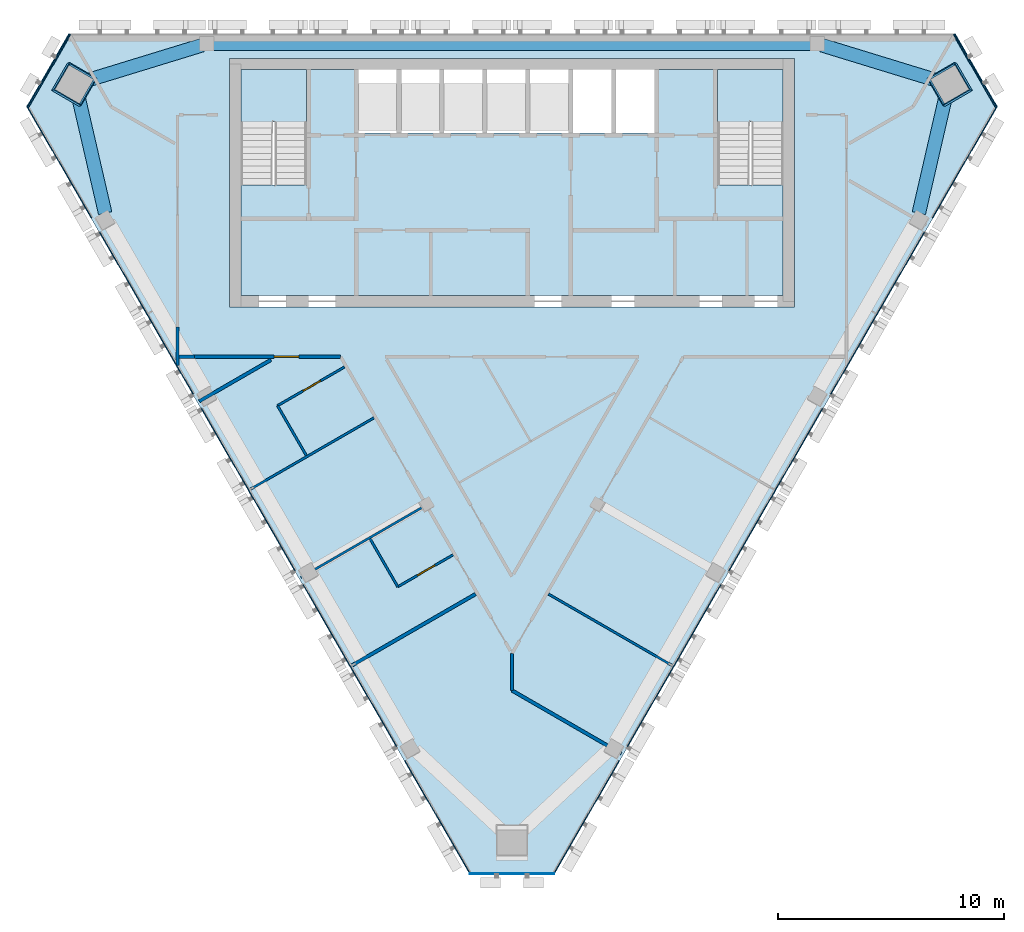
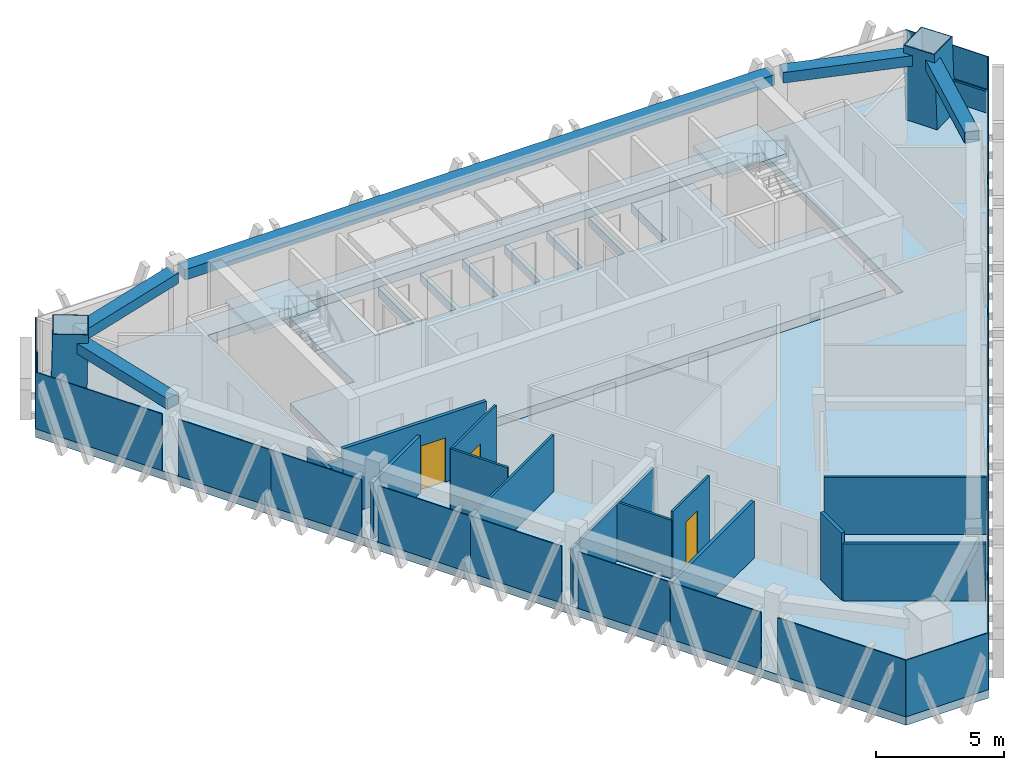
# One storey, part 5 of 10: 19 plates, 14 walls, 5 beams, 4 members, 4 slabs, 3 doors, 3 openings, 7 elements without a shape of their own.
"""IFC4 building model written with IfcOpenShell, lengths in metres."""

from ifc_helpers import new_model, si_unit, direction, frame, frame_2d, origin, origin_2d, place, context, subcontext, project, spatial, polyline, rectangle, hollow_rectangle, outline, extrude, material, layer, layer_set, material_profile, profile_set, type_object, element, fill, aggregate, save


model = new_model("IFC4")

# Units and contexts
model_context = context("Model", 3, precision=1e-05, world=origin(), true_north=direction((0.0, 1.0)))
body_context = subcontext(model_context, "Body", "Model", "MODEL_VIEW")
ifc_project = project(units=[si_unit("LENGTHUNIT", "METRE"), si_unit("AREAUNIT", "SQUARE_METRE"), si_unit("VOLUMEUNIT", "CUBIC_METRE"), si_unit("PLANEANGLEUNIT", "RADIAN"), si_unit("MASSUNIT", "GRAM", prefix="KILO")], contexts=[model_context])

# Site, building, storey
site_placement = place(None, origin())
site = spatial("IfcSite", under=ifc_project, at=site_placement, CompositionType="ELEMENT")
building_placement = place(site_placement, origin())
building = spatial("IfcBuilding", under=site, at=building_placement, Name="Altiplano Prism Tower", CompositionType="ELEMENT")
storey_placement = place(building_placement, frame((0.0, 0.0, 320.199951171875)))
storey = spatial("IfcBuildingStorey", under=building, at=storey_placement, Name="L83", CompositionType="ELEMENT", Elevation=320.199951171875)

# Curtain wall, member
ifc_material_1 = material(Name="Aluminium and glass", Category="aluminium")
ifc_layer_1 = layer(ifc_material_1, 0.280029296875)
ifc_layer_set_1 = layer_set([ifc_layer_1], Name="Aluminium and glass")
curtain_wall_type = type_object("IfcCurtainWallType", Name="CW1 typical co-living unitised curtain wall", PredefinedType="NOTDEFINED", material=ifc_layer_set_1)
curtain_wall_1_placement = place(storey_placement, origin())
curtain_wall_1 = element("IfcCurtainWall", 1, at=curtain_wall_1_placement, inside=storey, type_object=curtain_wall_type, Name="CW1 curtain wall north-west chamfer L83", PredefinedType="NOTDEFINED")
ifc_material_2 = material(Name="Aluminium", Category="aluminium")
ifc_material_profile_1 = material_profile(ifc_material_2, rectangle(XDim=0.06005859375, YDim=0.080078125, at=origin_2d()), Name="CW1 transom 80 x 60")
ifc_profile_set_1 = profile_set([ifc_material_profile_1], Name="Aluminium")
member_type_1 = type_object("IfcMemberType", Name="CW1 transom 80 x 60", PredefinedType="USERDEFINED", material=ifc_profile_set_1)
member_1_placement = place(storey_placement, frame((65.4482421875, 104.965087890625, 1.10009765625), z_axis=(-0.500009413767, -0.866019968675, 0.0), x_axis=(0.866019968675, -0.500009413767, 0.0)))
member_1 = element("IfcMember", 2, at=member_1_placement, type_object=member_type_1, Name="CW1 transom", ObjectType="TRANSOM", PredefinedType="USERDEFINED", context=body_context, shape_type="SweptSolid", body=[
    extrude(rectangle(XDim=0.06005859375, YDim=0.080078125, at=origin_2d()), origin(), (0.0, 0.0, 1.0), 3.7314453125),
])

curtain_wall_2_placement = place(storey_placement, origin())
curtain_wall_2 = element("IfcCurtainWall", 3, at=curtain_wall_2_placement, inside=storey, type_object=curtain_wall_type, Name="CW1 curtain wall north-east chamfer L83", PredefinedType="NOTDEFINED")
member_2_placement = place(storey_placement, frame((106.41748046875, 101.733642578125, 1.10009765625), z_axis=(-0.500009413767, 0.866019968675, 0.0), x_axis=(-0.866019968675, -0.500009413767, 0.0)))
member_2 = element("IfcMember", 4, at=member_2_placement, type_object=member_type_1, Name="CW1 transom", ObjectType="TRANSOM", PredefinedType="USERDEFINED", context=body_context, shape_type="SweptSolid", body=[
    extrude(rectangle(XDim=0.06005859375, YDim=0.080078125, at=origin_2d()), origin(), (0.0, 0.0, 1.0), 3.7314453125),
])

# Beams
ifc_material_3 = material(Name="Concrete C60/75", Category="concrete")
ifc_material_profile_2 = material_profile(ifc_material_3, rectangle(XDim=0.60009765625, YDim=0.5, at=origin_2d()), Name="Edge beam 600x500")
ifc_profile_set_2 = profile_set([ifc_material_profile_2], Name="Concrete C60/75")
beam_type = type_object("IfcBeamType", Name="Edge beam 600x500", PredefinedType="SPANDREL", material=ifc_profile_set_2)
beam_1_placement = place(storey_placement, frame((103.00146484375, 97.052978515625, 2.949951171875), z_axis=(0.224339128445, 0.974511136647, 0.0), x_axis=(-0.974511136647, 0.224339128445, 0.0)))
element("IfcBeam", 5, at=beam_1_placement, inside=storey, type_object=beam_type, Name="Edge beam P24-M2 L84", PredefinedType="SPANDREL", context=body_context, shape_type="SweptSolid", body=[
    extrude(rectangle(XDim=0.60009765625, YDim=0.5, at=origin_2d()), origin(), (0.0, 0.0, 1.0), 5.4140625),
])
beam_2_placement = place(storey_placement, frame((103.886962890625, 102.8994140625, 2.949951171875), z_axis=(-0.956124456084, 0.292960790001, 0.0), x_axis=(-0.292960790001, -0.956124456084, 0.0)))
element("IfcBeam", 6, at=beam_2_placement, inside=storey, type_object=beam_type, Name="Edge beam M2-P01 L84", PredefinedType="SPANDREL", context=body_context, shape_type="SweptSolid", body=[
    extrude(rectangle(XDim=0.60009765625, YDim=0.5, at=origin_2d()), origin(), (0.0, 0.0, 1.0), 5.414306640625),
])
beam_3_placement = place(storey_placement, frame((98.294921875, 104.550048828125, 2.949951171875), z_axis=(-1.0, 0.0, 0.0), x_axis=(0.0, -1.0, 0.0)))
element("IfcBeam", 7, at=beam_3_placement, inside=storey, type_object=beam_type, Name="Edge beam P01-P04 L84", PredefinedType="SPANDREL", context=body_context, shape_type="SweptSolid", body=[
    extrude(rectangle(XDim=0.60009765625, YDim=0.5, at=origin_2d()), origin(), (0.0, 0.0, 1.0), 26.58984375),
])
beam_4_placement = place(storey_placement, frame((71.289794921875, 104.485595703125, 2.949951171875), z_axis=(-0.956124456084, -0.292960790001, 0.0), x_axis=(0.292960790001, -0.956124456084, 0.0)))
element("IfcBeam", 8, at=beam_4_placement, inside=storey, type_object=beam_type, Name="Edge beam P04-M0 L84", PredefinedType="SPANDREL", context=body_context, shape_type="SweptSolid", body=[
    extrude(rectangle(XDim=0.60009765625, YDim=0.5, at=origin_2d()), origin(), (0.0, 0.0, 1.0), 5.414306640625),
])
beam_5_placement = place(storey_placement, frame((65.783935546875, 102.3291015625, 2.949951171875), z_axis=(0.224339128445, -0.974511136647, 0.0), x_axis=(0.974511136647, 0.224339128445, 0.0)))
element("IfcBeam", 9, at=beam_5_placement, inside=storey, type_object=beam_type, Name="Edge beam M0-P11 L84", PredefinedType="SPANDREL", context=body_context, shape_type="SweptSolid", body=[
    extrude(rectangle(XDim=0.60009765625, YDim=0.5, at=origin_2d()), origin(), (0.0, 0.0, 1.0), 5.4140625),
])

# Members
ifc_material_4 = material(Name="Steel S460", Category="steel")
ifc_material_profile_3 = material_profile(ifc_material_4, hollow_rectangle(XDim=1.39990234375, YDim=1.39990234375, WallThickness=0.0400390625, at=origin_2d()), Name="Mega column tube 1400")
ifc_profile_set_3 = profile_set([ifc_material_profile_3], Name="Steel S460")
member_type_2 = type_object("IfcMemberType", Name="Mega column tube 1400", PredefinedType="POST", material=ifc_profile_set_3)
for number, where, z_axis, x_axis, name in (
    (10, (65.58056640625, 102.734375, 0.0), (0.028401814599, 0.009218727412, 0.999554076572), (-0.865121565404, 0.501164925607, 0.01995982002), "Mega column tube M0 L83"),
    (11, (104.41943359375, 102.734375, 0.0), (-0.028401814599, 0.009218727412, 0.999554076572), (0.500757440285, -0.865302682537, 0.02220931319), "Mega column tube M2 L83"),
):
    element("IfcMember", number, at=place(storey_placement, frame(where, z_axis=z_axis, x_axis=x_axis)), inside=storey, type_object=member_type_2, Name=name, PredefinedType="POST", context=body_context, shape_type="SweptSolid", body=[
        extrude(hollow_rectangle(XDim=1.39990234375, YDim=1.39990234375, WallThickness=0.0400390625, at=origin_2d()), origin(), (0.0, 0.0, 1.0), 3.601806640625),
    ])

# Plate
ifc_material_5 = material(Name="Clear glass", Category="glass")
ifc_layer_2 = layer(ifc_material_5, 0.0400390625)
ifc_layer_set_2 = layer_set([ifc_layer_2], Name="Clear glass")
plate_type = type_object("IfcPlateType", Name="CW1 insulated glass unit 40", PredefinedType="CURTAIN_PANEL", material=ifc_layer_set_2)
plate_1_placement = place(storey_placement, frame((64.47216796875, 103.374267578125, 0.0), z_axis=(0.0, 0.0, 1.0), x_axis=(-0.499999981786, -0.8660254143, 0.0)))
plate_1 = element("IfcPlate", 12, at=plate_1_placement, type_object=plate_type, Name="CW1 panel", PredefinedType="CURTAIN_PANEL", context=body_context, shape_type="SweptSolid", body=[
    extrude(rectangle(XDim=3.72119140625, YDim=0.0400390625, at=origin_2d()), origin(), (0.0, 0.0, 1.0), 2.699951171875),
])

aggregate(curtain_wall_1, [member_1, plate_1])

# Curtain wall, plates
curtain_wall_3_placement = place(storey_placement, origin())
curtain_wall_3 = element("IfcCurtainWall", 13, at=curtain_wall_3_placement, inside=storey, type_object=curtain_wall_type, Name="CW1 curtain wall south-west face L83", PredefinedType="NOTDEFINED")
plate_2_placement = place(storey_placement, frame((64.96630859375, 99.30712890625, 0.0), z_axis=(0.0, 0.0, 1.0), x_axis=(0.500000008343, -0.866025398967, 0.0)))
plate_2 = element("IfcPlate", 14, at=plate_2_placement, type_object=plate_type, Name="CW1 panel", PredefinedType="CURTAIN_PANEL", context=body_context, shape_type="SweptSolid", body=[
    extrude(rectangle(XDim=5.69775390625, YDim=0.0400390625, at=origin_2d()), origin(), (0.0, 0.0, 1.0), 2.699951171875),
])
plate_3_placement = place(storey_placement, frame((67.8017578125, 94.395751953125, 0.0), z_axis=(0.0, 0.0, 1.0), x_axis=(0.500000008343, -0.866025398967, 0.0)))
plate_3 = element("IfcPlate", 15, at=plate_3_placement, type_object=plate_type, Name="CW1 panel", PredefinedType="CURTAIN_PANEL", context=body_context, shape_type="SweptSolid", body=[
    extrude(rectangle(XDim=4.16455078125, YDim=0.0400390625, at=origin_2d()), origin(), (0.0, 0.0, 1.0), 2.699951171875),
])
plate_4_placement = place(storey_placement, frame((69.869384765625, 90.814697265625, 0.0), z_axis=(0.0, 0.0, 1.0), x_axis=(0.500000008343, -0.866025398967, 0.0)))
plate_4 = element("IfcPlate", 16, at=plate_4_placement, type_object=plate_type, Name="CW1 panel", PredefinedType="CURTAIN_PANEL", context=body_context, shape_type="SweptSolid", body=[
    extrude(rectangle(XDim=4.08544921875, YDim=0.0400390625, at=origin_2d()), origin(), (0.0, 0.0, 1.0), 2.699951171875),
])
plate_5_placement = place(storey_placement, frame((72.3017578125, 86.601318359375, 0.0), z_axis=(0.0, 0.0, 1.0), x_axis=(0.500000008343, -0.866025398967, 0.0)))
plate_5 = element("IfcPlate", 17, at=plate_5_placement, type_object=plate_type, Name="CW1 panel", PredefinedType="CURTAIN_PANEL", context=body_context, shape_type="SweptSolid", body=[
    extrude(rectangle(XDim=4.16455078125, YDim=0.0400390625, at=origin_2d()), origin(), (0.0, 0.0, 1.0), 2.699951171875),
])
plate_6_placement = place(storey_placement, frame((74.369384765625, 83.0205078125, 0.0), z_axis=(0.0, 0.0, 1.0), x_axis=(0.500000008343, -0.866025398967, 0.0)))
plate_6 = element("IfcPlate", 18, at=plate_6_placement, type_object=plate_type, Name="CW1 panel", PredefinedType="CURTAIN_PANEL", context=body_context, shape_type="SweptSolid", body=[
    extrude(rectangle(XDim=4.08544921875, YDim=0.0400390625, at=origin_2d()), origin(), (0.0, 0.0, 1.0), 2.699951171875),
])
plate_7_placement = place(storey_placement, frame((76.8017578125, 78.80712890625, 0.0), z_axis=(0.0, 0.0, 1.0), x_axis=(0.500000008343, -0.866025398967, 0.0)))
plate_7 = element("IfcPlate", 19, at=plate_7_placement, type_object=plate_type, Name="CW1 panel", PredefinedType="CURTAIN_PANEL", context=body_context, shape_type="SweptSolid", body=[
    extrude(rectangle(XDim=4.16455078125, YDim=0.0400390625, at=origin_2d()), origin(), (0.0, 0.0, 1.0), 2.699951171875),
])
plate_8_placement = place(storey_placement, frame((78.869384765625, 75.226318359375, 0.0), z_axis=(0.0, 0.0, 1.0), x_axis=(0.500000008343, -0.866025398967, 0.0)))
plate_8 = element("IfcPlate", 20, at=plate_8_placement, type_object=plate_type, Name="CW1 panel", PredefinedType="CURTAIN_PANEL", context=body_context, shape_type="SweptSolid", body=[
    extrude(rectangle(XDim=4.08544921875, YDim=0.0400390625, at=origin_2d()), origin(), (0.0, 0.0, 1.0), 2.699951171875),
])
plate_9_placement = place(storey_placement, frame((81.705078125, 70.314697265625, 0.0), z_axis=(0.0, 0.0, 1.0), x_axis=(0.500000008343, -0.866025398967, 0.0)))
plate_9 = element("IfcPlate", 21, at=plate_9_placement, type_object=plate_type, Name="CW1 panel", PredefinedType="CURTAIN_PANEL", context=body_context, shape_type="SweptSolid", body=[
    extrude(rectangle(XDim=5.77685546875, YDim=0.0400390625, at=origin_2d()), origin(), (0.0, 0.0, 1.0), 2.699951171875),
])
aggregate(curtain_wall_3, [plate_2, plate_3, plate_4, plate_5, plate_6, plate_7, plate_8, plate_9])

# Curtain wall, plate
curtain_wall_4_placement = place(storey_placement, origin())
curtain_wall_4 = element("IfcCurtainWall", 22, at=curtain_wall_4_placement, inside=storey, type_object=curtain_wall_type, Name="CW1 curtain wall south chamfer L83", PredefinedType="NOTDEFINED")
plate_10_placement = place(storey_placement, frame((85.0, 67.81884765625, 0.0), z_axis=(0.0, 0.0, 1.0), x_axis=(1.0, 0.0, 0.0)))
plate_10 = element("IfcPlate", 23, at=plate_10_placement, type_object=plate_type, Name="CW1 panel", PredefinedType="CURTAIN_PANEL", context=body_context, shape_type="SweptSolid", body=[
    extrude(rectangle(XDim=3.72119140625, YDim=0.0400390625, at=origin_2d()), origin(), (0.0, 0.0, 1.0), 2.699951171875),
])
aggregate(curtain_wall_4, [plate_10])

# Curtain wall, plates
curtain_wall_5_placement = place(storey_placement, origin())
curtain_wall_5 = element("IfcCurtainWall", 24, at=curtain_wall_5_placement, inside=storey, type_object=curtain_wall_type, Name="CW1 curtain wall south-east face L83", PredefinedType="NOTDEFINED")
plate_11_placement = place(storey_placement, frame((88.294921875, 70.314697265625, 0.0), z_axis=(0.0, 0.0, 1.0), x_axis=(0.500000008343, 0.866025398967, 0.0)))
plate_11 = element("IfcPlate", 25, at=plate_11_placement, type_object=plate_type, Name="CW1 panel", PredefinedType="CURTAIN_PANEL", context=body_context, shape_type="SweptSolid", body=[
    extrude(rectangle(XDim=5.77685546875, YDim=0.0400390625, at=origin_2d()), origin(), (0.0, 0.0, 1.0), 2.699951171875),
])
plate_12_placement = place(storey_placement, frame((91.130615234375, 75.226318359375, 0.0), z_axis=(0.0, 0.0, 1.0), x_axis=(0.500000008343, 0.866025398967, 0.0)))
plate_12 = element("IfcPlate", 26, at=plate_12_placement, type_object=plate_type, Name="CW1 panel", PredefinedType="CURTAIN_PANEL", context=body_context, shape_type="SweptSolid", body=[
    extrude(rectangle(XDim=4.08544921875, YDim=0.0400390625, at=origin_2d()), origin(), (0.0, 0.0, 1.0), 2.699951171875),
])
plate_13_placement = place(storey_placement, frame((93.1982421875, 78.80712890625, 0.0), z_axis=(0.0, 0.0, 1.0), x_axis=(0.500000008343, 0.866025398967, 0.0)))
plate_13 = element("IfcPlate", 27, at=plate_13_placement, type_object=plate_type, Name="CW1 panel", PredefinedType="CURTAIN_PANEL", context=body_context, shape_type="SweptSolid", body=[
    extrude(rectangle(XDim=4.16455078125, YDim=0.0400390625, at=origin_2d()), origin(), (0.0, 0.0, 1.0), 2.699951171875),
])
plate_14_placement = place(storey_placement, frame((95.630615234375, 83.0205078125, 0.0), z_axis=(0.0, 0.0, 1.0), x_axis=(0.500000008343, 0.866025398967, 0.0)))
plate_14 = element("IfcPlate", 28, at=plate_14_placement, type_object=plate_type, Name="CW1 panel", PredefinedType="CURTAIN_PANEL", context=body_context, shape_type="SweptSolid", body=[
    extrude(rectangle(XDim=4.08544921875, YDim=0.0400390625, at=origin_2d()), origin(), (0.0, 0.0, 1.0), 2.699951171875),
])
plate_15_placement = place(storey_placement, frame((97.6982421875, 86.601318359375, 0.0), z_axis=(0.0, 0.0, 1.0), x_axis=(0.500000008343, 0.866025398967, 0.0)))
plate_15 = element("IfcPlate", 29, at=plate_15_placement, type_object=plate_type, Name="CW1 panel", PredefinedType="CURTAIN_PANEL", context=body_context, shape_type="SweptSolid", body=[
    extrude(rectangle(XDim=4.16455078125, YDim=0.0400390625, at=origin_2d()), origin(), (0.0, 0.0, 1.0), 2.699951171875),
])
plate_16_placement = place(storey_placement, frame((100.130615234375, 90.814697265625, 0.0), z_axis=(0.0, 0.0, 1.0), x_axis=(0.500000008343, 0.866025398967, 0.0)))
plate_16 = element("IfcPlate", 30, at=plate_16_placement, type_object=plate_type, Name="CW1 panel", PredefinedType="CURTAIN_PANEL", context=body_context, shape_type="SweptSolid", body=[
    extrude(rectangle(XDim=4.08544921875, YDim=0.0400390625, at=origin_2d()), origin(), (0.0, 0.0, 1.0), 2.699951171875),
])
plate_17_placement = place(storey_placement, frame((102.1982421875, 94.395751953125, 0.0), z_axis=(0.0, 0.0, 1.0), x_axis=(0.500000008343, 0.866025398967, 0.0)))
plate_17 = element("IfcPlate", 31, at=plate_17_placement, type_object=plate_type, Name="CW1 panel", PredefinedType="CURTAIN_PANEL", context=body_context, shape_type="SweptSolid", body=[
    extrude(rectangle(XDim=4.16455078125, YDim=0.0400390625, at=origin_2d()), origin(), (0.0, 0.0, 1.0), 2.699951171875),
])
plate_18_placement = place(storey_placement, frame((105.03369140625, 99.30712890625, 0.0), z_axis=(0.0, 0.0, 1.0), x_axis=(0.500000008343, 0.866025398967, 0.0)))
plate_18 = element("IfcPlate", 32, at=plate_18_placement, type_object=plate_type, Name="CW1 panel", PredefinedType="CURTAIN_PANEL", context=body_context, shape_type="SweptSolid", body=[
    extrude(rectangle(XDim=5.69775390625, YDim=0.0400390625, at=origin_2d()), origin(), (0.0, 0.0, 1.0), 2.699951171875),
])
aggregate(curtain_wall_5, [plate_11, plate_12, plate_13, plate_14, plate_15, plate_16, plate_17, plate_18])

# Plate
plate_19_placement = place(storey_placement, frame((105.52783203125, 103.374267578125, 0.0), z_axis=(0.0, 0.0, 1.0), x_axis=(-0.499999981786, 0.8660254143, 0.0)))
plate_19 = element("IfcPlate", 33, at=plate_19_placement, type_object=plate_type, Name="CW1 panel", PredefinedType="CURTAIN_PANEL", context=body_context, shape_type="SweptSolid", body=[
    extrude(rectangle(XDim=3.72119140625, YDim=0.0400390625, at=origin_2d()), origin(), (0.0, 0.0, 1.0), 2.699951171875),
])

aggregate(curtain_wall_2, [member_2, plate_19])

# Slabs
ifc_material_6 = material(Name="Concrete C40/50", Category="concrete")
ifc_layer_3 = layer(ifc_material_6, 0.39990234375)
ifc_layer_set_3 = layer_set([ifc_layer_3], Name="Concrete C40/50")
slab_type_1 = type_object("IfcSlabType", Name="Core floor slab 400", PredefinedType="FLOOR", material=ifc_layer_set_3)
slab_1_placement = place(storey_placement, frame((0.0, 0.0, -0.39990234375)))
element("IfcSlab", 34, at=slab_1_placement, inside=storey, type_object=slab_type_1, Name="Core floor slab L83", PredefinedType="FLOOR", context=body_context, shape_type="SweptSolid", body=[
    extrude(outline(polyline([(97.0, 98.31005859375), (94.10009765625, 98.31005859375), (94.10009765625, 103.39990234375), (91.300048828125, 103.39990234375), (91.300048828125, 100.60009765625), (89.60009765625, 100.60009765625), (89.60009765625, 103.39990234375), (89.39990234375, 103.39990234375), (89.39990234375, 100.60009765625), (87.699951171875, 100.60009765625), (87.699951171875, 103.39990234375), (87.5, 103.39990234375), (87.5, 100.60009765625), (85.800048828125, 100.60009765625), (85.800048828125, 103.39990234375), (85.60009765625, 103.39990234375), (85.60009765625, 100.60009765625), (83.89990234375, 100.60009765625), (83.89990234375, 103.39990234375), (83.699951171875, 103.39990234375), (83.699951171875, 100.60009765625), (82.0, 100.60009765625), (82.0, 103.39990234375), (81.800048828125, 103.39990234375), (81.800048828125, 100.60009765625), (80.10009765625, 100.60009765625), (80.10009765625, 103.39990234375), (79.89990234375, 103.39990234375), (79.89990234375, 100.60009765625), (78.199951171875, 100.60009765625), (78.199951171875, 103.39990234375), (75.89990234375, 103.39990234375), (75.89990234375, 98.31005859375), (73.0, 98.31005859375), (73.0, 93.39990234375), (97.0, 93.39990234375), (97.0, 98.31005859375)])), origin(), (0.0, 0.0, 1.0), 0.39990234375),
])
ifc_layer_4 = layer(ifc_material_6, 0.39990234375)
ifc_layer_set_4 = layer_set([ifc_layer_4], Name="Concrete C40/50")
slab_type_2 = type_object("IfcSlabType", Name="Post-tensioned flat slab 400", PredefinedType="FLOOR", material=ifc_layer_set_4)
slab_2_placement = place(storey_placement, frame((0.0, 0.0, -0.39990234375)))
element("IfcSlab", 35, at=slab_2_placement, inside=storey, type_object=slab_type_2, Name="Floor slab L83", PredefinedType="FLOOR", context=body_context, shape_type="SweptSolid", body=[
    extrude(outline(polyline([(106.47802734375, 101.7685546875), (86.86572265625, 67.799072265625), (83.13427734375, 67.799072265625), (63.52197265625, 101.7685546875), (65.387451171875, 105.0), (104.612548828125, 105.0), (106.47802734375, 101.7685546875)]), holes=[polyline([(97.5, 92.89990234375), (97.5, 103.89990234375), (72.5, 103.89990234375), (72.5, 92.89990234375), (97.5, 92.89990234375)])]), origin(), (0.0, 0.0, 1.0), 0.39990234375),
])

# Stair, slab
stair_type = type_object("IfcStairType", Name="Exit stair 1400", PredefinedType="HALF_TURN_STAIR", material=ifc_material_6)
stair_1_placement = place(storey_placement, origin())
stair_1 = element("IfcStair", 36, at=stair_1_placement, inside=storey, type_object=stair_type, Name="L83 Exit Stair 1", PredefinedType="HALF_TURN_STAIR")
ifc_layer_5 = layer(ifc_material_6, 0.199951171875)
ifc_layer_set_5 = layer_set([ifc_layer_5], Name="Concrete C40/50")
slab_type_3 = type_object("IfcSlabType", Name="Stair landing 200", PredefinedType="LANDING", material=ifc_layer_set_5)
slab_3_placement = place(storey_placement, frame((0.0, 0.0, 1.60009765625)))
slab_3 = element("IfcSlab", 37, at=slab_3_placement, type_object=slab_type_3, Name="ST1 landing 1", PredefinedType="LANDING", context=body_context, shape_type="SweptSolid", body=[
    extrude(outline(polyline([(75.89990234375, 101.096923828125), (75.89990234375, 103.39990234375), (73.0, 103.39990234375), (73.0, 101.096923828125), (75.89990234375, 101.096923828125)])), origin(), (0.0, 0.0, 1.0), 0.199951171875),
])
aggregate(stair_1, [slab_3])

stair_2_placement = place(storey_placement, origin())
stair_2 = element("IfcStair", 38, at=stair_2_placement, inside=storey, type_object=stair_type, Name="L83 Exit Stair 2", PredefinedType="HALF_TURN_STAIR")
slab_4_placement = place(storey_placement, frame((0.0, 0.0, 1.60009765625)))
slab_4 = element("IfcSlab", 39, at=slab_4_placement, type_object=slab_type_3, Name="ST2 landing 1", PredefinedType="LANDING", context=body_context, shape_type="SweptSolid", body=[
    extrude(outline(polyline([(97.0, 101.096923828125), (97.0, 103.39990234375), (94.10009765625, 103.39990234375), (94.10009765625, 101.096923828125), (97.0, 101.096923828125)])), origin(), (0.0, 0.0, 1.0), 0.199951171875),
])
aggregate(stair_2, [slab_4])

# Wall
ifc_material_7 = material(Name="Plasterboard on steel stud", Category="steel")
ifc_layer_6 = layer(ifc_material_7, 0.10009765625)
ifc_layer_set_6 = layer_set([ifc_layer_6], Name="Plasterboard on steel stud")
wall_type_1 = type_object("IfcWallType", Name="Partition 100 unit", PredefinedType="PARTITIONING", material=ifc_layer_set_6)
wall_1_placement = place(storey_placement, frame((75.9013671875, 86.3271484375, 0.0), z_axis=(0.0, 0.0, 1.0), x_axis=(-0.500062241894, 0.865989465428, 0.0)))
element("IfcWall", 40, at=wall_1_placement, inside=storey, type_object=wall_type_1, Name="Partition P02 L83 022", PredefinedType="PARTITIONING", context=body_context, shape_type="SweptSolid", body=[
    extrude(rectangle(XDim=2.550048828125, YDim=0.10009765625, at=frame_2d((1.27490234375, 0.0))), origin(), (0.0, 0.0, 1.0), 3.199951171875),
])

# Wall, opening, door
wall_2_placement = place(storey_placement, frame((74.626220703125, 88.535400390625, 0.0), z_axis=(0.0, 0.0, 1.0), x_axis=(0.866001587311, 0.500041249073, 0.0)))
wall_2 = element("IfcWall", 41, at=wall_2_placement, inside=storey, type_object=wall_type_1, Name="Partition P02 L83 023", PredefinedType="PARTITIONING", context=body_context, shape_type="SweptSolid", body=[
    extrude(rectangle(XDim=3.425048828125, YDim=0.10009765625, at=frame_2d((1.71240234375, 0.0))), origin(), (0.0, 0.0, 1.0), 3.199951171875),
])
opening_1_placement = place(wall_2_placement, frame((1.300048828125, 0.0, 0.0)))
opening_1 = element("IfcOpeningElement", 42, at=opening_1_placement, cuts=wall_2, Name="Opening D2429", PredefinedType="OPENING", context=body_context, shape_type="SweptSolid", body=[
    extrude(rectangle(XDim=0.89990234375, YDim=2.10009765625, at=frame_2d((0.449951171875, 1.050048828125))), frame((0.0, 0.060546875, 0.0), z_axis=(0.0, -1.0, 0.0), x_axis=(1.0, 0.0, 0.0)), (0.0, 0.0, 1.0), 0.12109375),
])
ifc_material_8 = material(Name="Timber", Category="wood")
door_type_1 = type_object("IfcDoorType", Name="Accessible ensuite door 900 x 2100", OperationType="NOTDEFINED", PredefinedType="NOTDEFINED", material=ifc_material_8)
door_1_placement = place(opening_1_placement, origin())
door_1 = element("IfcDoor", 43, at=door_1_placement, inside=storey, type_object=door_type_1, Name="Door D2429", OperationType="SINGLE_SWING_RIGHT", OverallHeight=2.10009765625, OverallWidth=0.89990234375, PredefinedType="NOTDEFINED", context=body_context, shape_type="SweptSolid", body=[
    extrude(rectangle(XDim=0.89990234375, YDim=2.10009765625, at=frame_2d((0.449951171875, 1.050048828125))), frame((0.0, 0.02490234375, 0.0), z_axis=(0.0, -1.0, 0.0), x_axis=(1.0, 0.0, 0.0)), (0.0, 0.0, 1.0), 0.050048828125),
])
fill(opening_1, door_1)

wall_3_placement = place(storey_placement, frame((82.392333984375, 81.93408203125, 0.0), z_axis=(0.0, 0.0, 1.0), x_axis=(-0.866048868473, -0.499959355765, 0.0)))
wall_3 = element("IfcWall", 44, at=wall_3_placement, inside=storey, type_object=wall_type_1, Name="Partition P02 L83 026", PredefinedType="PARTITIONING", context=body_context, shape_type="SweptSolid", body=[
    extrude(rectangle(XDim=2.824951171875, YDim=0.10009765625, at=frame_2d((1.41259765625, 0.0))), origin(), (0.0, 0.0, 1.0), 3.199951171875),
])
opening_2_placement = place(wall_3_placement, frame((0.925048828125, 0.0, 0.0)))
opening_2 = element("IfcOpeningElement", 45, at=opening_2_placement, cuts=wall_3, Name="Opening D2432", PredefinedType="OPENING", context=body_context, shape_type="SweptSolid", body=[
    extrude(rectangle(XDim=0.89990234375, YDim=2.10009765625, at=frame_2d((0.449951171875, 1.050048828125))), frame((0.0, 0.060546875, 0.0), z_axis=(0.0, -1.0, 0.0), x_axis=(1.0, 0.0, 0.0)), (0.0, 0.0, 1.0), 0.12109375),
])
door_type_2 = type_object("IfcDoorType", Name="Ensuite door 900 x 2100", OperationType="NOTDEFINED", PredefinedType="NOTDEFINED", material=ifc_material_8)
door_2_placement = place(opening_2_placement, origin())
door_2 = element("IfcDoor", 46, at=door_2_placement, inside=storey, type_object=door_type_2, Name="Door D2432", OperationType="SINGLE_SWING_LEFT", OverallHeight=2.10009765625, OverallWidth=0.89990234375, PredefinedType="NOTDEFINED", context=body_context, shape_type="SweptSolid", body=[
    extrude(rectangle(XDim=0.89990234375, YDim=2.10009765625, at=frame_2d((0.449951171875, 1.050048828125))), frame((0.0, 0.02490234375, 0.0), z_axis=(0.0, -1.0, 0.0), x_axis=(1.0, 0.0, 0.0)), (0.0, 0.0, 1.0), 0.050048828125),
])
fill(opening_2, door_2)

# Walls
wall_4_placement = place(storey_placement, frame((79.94580078125, 80.521728515625, 0.0), z_axis=(0.0, 0.0, 1.0), x_axis=(-0.499987006516, 0.866032905446, 0.0)))
element("IfcWall", 47, at=wall_4_placement, inside=storey, type_object=wall_type_1, Name="Partition P02 L83 027", PredefinedType="PARTITIONING", context=body_context, shape_type="SweptSolid", body=[
    extrude(rectangle(XDim=2.44970703125, YDim=0.10009765625, at=frame_2d((1.224853515625, 0.0))), origin(), (0.0, 0.0, 1.0), 2.800048828125),
])
ifc_layer_7 = layer(ifc_material_7, 0.10009765625)
ifc_layer_set_7 = layer_set([ifc_layer_7], Name="Plasterboard on steel stud")
wall_type_2 = type_object("IfcWallType", Name="Partition 100 wet", PredefinedType="PARTITIONING", material=ifc_layer_set_7)
wall_5_placement = place(storey_placement, frame((73.397216796875, 84.82373046875, 0.0), z_axis=(0.0, 0.0, 1.0), x_axis=(0.866025401434, 0.500000004071, 0.0)))
element("IfcWall", 48, at=wall_5_placement, inside=storey, type_object=wall_type_2, Name="Partition P03 L83 024", PredefinedType="PARTITIONING", context=body_context, shape_type="SweptSolid", body=[
    extrude(rectangle(XDim=6.34521484375, YDim=0.10009765625, at=frame_2d((3.172607421875, 0.0))), origin(), (0.0, 0.0, 1.0), 2.699951171875),
])
wall_6_placement = place(storey_placement, frame((75.664794921875, 80.936767578125, 0.0), z_axis=(0.0, 0.0, 1.0), x_axis=(0.866032601554, 0.49998753289, 0.0)))
element("IfcWall", 49, at=wall_6_placement, inside=storey, type_object=wall_type_2, Name="Partition P03 L83 025", PredefinedType="PARTITIONING", context=body_context, shape_type="SweptSolid", body=[
    extrude(rectangle(XDim=6.324951171875, YDim=0.10009765625, at=frame_2d((3.16259765625, 0.0))), origin(), (0.0, 0.0, 1.0), 2.699951171875),
])
wall_7_placement = place(storey_placement, frame((92.102783203125, 77.029541015625, 0.0), z_axis=(0.0, 0.0, 1.0), x_axis=(-0.866025401434, 0.500000004071, 0.0)))
element("IfcWall", 50, at=wall_7_placement, inside=storey, type_object=wall_type_2, Name="Partition P03 L83 031", PredefinedType="PARTITIONING", context=body_context, shape_type="SweptSolid", body=[
    extrude(rectangle(XDim=6.34521484375, YDim=0.10009765625, at=frame_2d((3.172607421875, 0.0))), origin(), (0.0, 0.0, 1.0), 2.699951171875),
])
ifc_layer_8 = layer(ifc_material_7, 0.14990234375)
ifc_layer_set_8 = layer_set([ifc_layer_8], Name="Plasterboard on steel stud")
wall_type_3 = type_object("IfcWallType", Name="Partition 150 corridor", PredefinedType="PARTITIONING", material=ifc_layer_set_8)
wall_8_placement = place(storey_placement, frame((70.199951171875, 92.019287109375, 0.0), z_axis=(0.0, 0.0, 1.0), x_axis=(0.0, -1.0, 0.0)))
element("IfcWall", 51, at=wall_8_placement, inside=storey, type_object=wall_type_3, Name="Partition P06 L83 005", PredefinedType="PARTITIONING", context=body_context, shape_type="SweptSolid", body=[
    extrude(rectangle(XDim=1.697265625, YDim=0.14990234375, at=frame_2d((0.8486328125, 0.0))), origin(), (0.0, 0.0, 1.0), 2.699951171875),
])
wall_9_placement = place(storey_placement, frame((70.27490234375, 90.699951171875, 0.0), z_axis=(0.0, 0.0, 1.0), x_axis=(1.0, 0.0, 0.0)))
element("IfcWall", 52, at=wall_9_placement, inside=storey, type_object=wall_type_3, Name="Partition P06 L83 006", PredefinedType="PARTITIONING", context=body_context, shape_type="SweptSolid", body=[
    extrude(rectangle(XDim=0.686767578125, YDim=0.14990234375, at=frame_2d((0.34326171875, 0.0))), origin(), (0.0, 0.0, 1.0), 2.699951171875),
])

# Wall, opening, door
wall_10_placement = place(storey_placement, frame((70.961669921875, 90.699951171875, 0.0), z_axis=(0.0, 0.0, 1.0), x_axis=(1.0, 0.0, 0.0)))
wall_10 = element("IfcWall", 53, at=wall_10_placement, inside=storey, type_object=wall_type_3, Name="Partition P06 L83 007", PredefinedType="PARTITIONING", context=body_context, shape_type="SweptSolid", body=[
    extrude(rectangle(XDim=6.456298828125, YDim=0.14990234375, at=frame_2d((3.22802734375, 0.0))), origin(), (0.0, 0.0, 1.0), 3.199951171875),
])
opening_3_placement = place(wall_10_placement, frame((3.512939453125, 0.0, 0.0)))
opening_3 = element("IfcOpeningElement", 54, at=opening_3_placement, cuts=wall_10, Name="Opening D2428", PredefinedType="OPENING", context=body_context, shape_type="SweptSolid", body=[
    extrude(rectangle(XDim=1.10009765625, YDim=2.10009765625, at=frame_2d((0.550048828125, 1.050048828125))), frame((0.0, 0.08544921875, 0.0), z_axis=(0.0, -1.0, 0.0), x_axis=(1.0, 0.0, 0.0)), (0.0, 0.0, 1.0), 0.1708984375),
])
door_type_3 = type_object("IfcDoorType", Name="Accessible bedroom door 1100 x 2100", OperationType="NOTDEFINED", PredefinedType="NOTDEFINED", material=ifc_material_8)
door_3_placement = place(opening_3_placement, origin())
door_3 = element("IfcDoor", 55, at=door_3_placement, inside=storey, type_object=door_type_3, Name="Door D2428", OperationType="SINGLE_SWING_LEFT", OverallHeight=2.10009765625, OverallWidth=1.10009765625, PredefinedType="NOTDEFINED", context=body_context, shape_type="SweptSolid", body=[
    extrude(rectangle(XDim=1.10009765625, YDim=2.10009765625, at=frame_2d((0.550048828125, 1.050048828125))), frame((0.0, 0.02490234375, 0.0), z_axis=(0.0, -1.0, 0.0), x_axis=(1.0, 0.0, 0.0)), (0.0, 0.0, 1.0), 0.050048828125),
])
fill(opening_3, door_3)

# Walls
ifc_layer_9 = layer(ifc_material_7, 0.14990234375)
ifc_layer_set_9 = layer_set([ifc_layer_9], Name="Plasterboard on steel stud")
wall_type_4 = type_object("IfcWallType", Name="Partition 150 party", PredefinedType="PARTITIONING", material=ifc_layer_set_9)
wall_11_placement = place(storey_placement, frame((71.164794921875, 88.73095703125, 0.0), z_axis=(0.0, 0.0, 1.0), x_axis=(0.866033334412, 0.499986263498, 0.0)))
element("IfcWall", 56, at=wall_11_placement, inside=storey, type_object=wall_type_4, Name="Partition P01 L83 019", PredefinedType="PARTITIONING", context=body_context, shape_type="SweptSolid", body=[
    extrude(rectangle(XDim=3.658203125, YDim=0.14990234375, at=frame_2d((1.8291015625, 0.0))), origin(), (0.0, 0.0, 1.0), 2.699951171875),
])
wall_12_placement = place(storey_placement, frame((77.897216796875, 77.029541015625, 0.0), z_axis=(0.0, 0.0, 1.0), x_axis=(0.866025401434, 0.500000004071, 0.0)))
element("IfcWall", 57, at=wall_12_placement, inside=storey, type_object=wall_type_4, Name="Partition P01 L83 028", PredefinedType="PARTITIONING", context=body_context, shape_type="SweptSolid", body=[
    extrude(rectangle(XDim=6.34521484375, YDim=0.14990234375, at=frame_2d((3.172607421875, 0.0))), origin(), (0.0, 0.0, 1.0), 2.699951171875),
])
wall_13_placement = place(storey_placement, frame((89.835205078125, 73.142578125, 0.0), z_axis=(0.0, 0.0, 1.0), x_axis=(-0.866033395693, 0.499986157352, 0.0)))
element("IfcWall", 58, at=wall_13_placement, inside=storey, type_object=wall_type_4, Name="Partition P01 L83 029", PredefinedType="PARTITIONING", context=body_context, shape_type="SweptSolid", body=[
    extrude(rectangle(XDim=5.583251953125, YDim=0.14990234375, at=frame_2d((2.79150390625, 0.0))), origin(), (0.0, 0.0, 1.0), 2.699951171875),
])
wall_14_placement = place(storey_placement, frame((85.0, 75.93408203125, 0.0), z_axis=(0.0, 0.0, 1.0), x_axis=(0.0, 1.0, 0.0)))
element("IfcWall", 59, at=wall_14_placement, inside=storey, type_object=wall_type_4, Name="Partition P01 L83 030", PredefinedType="PARTITIONING", context=body_context, shape_type="SweptSolid", body=[
    extrude(rectangle(XDim=1.633544921875, YDim=0.14990234375, at=frame_2d((0.81689453125, 0.0))), origin(), (0.0, 0.0, 1.0), 3.199951171875),
])

save(model, "model.ifc")
